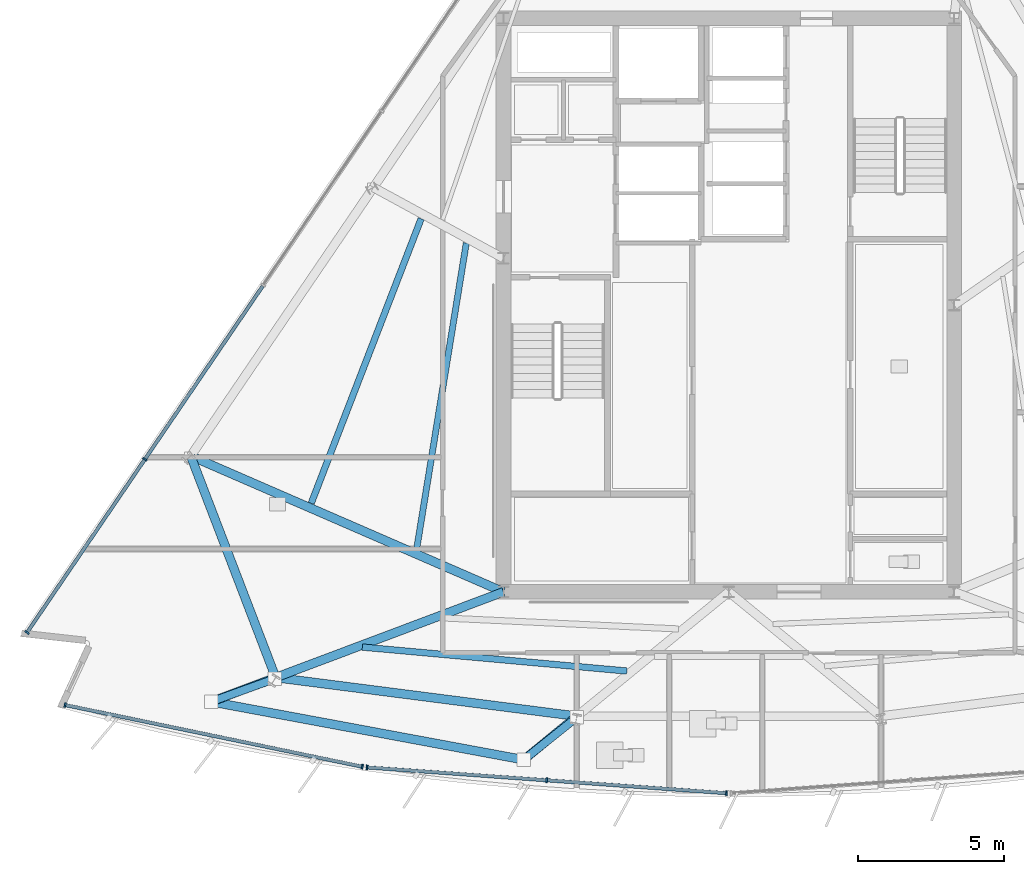
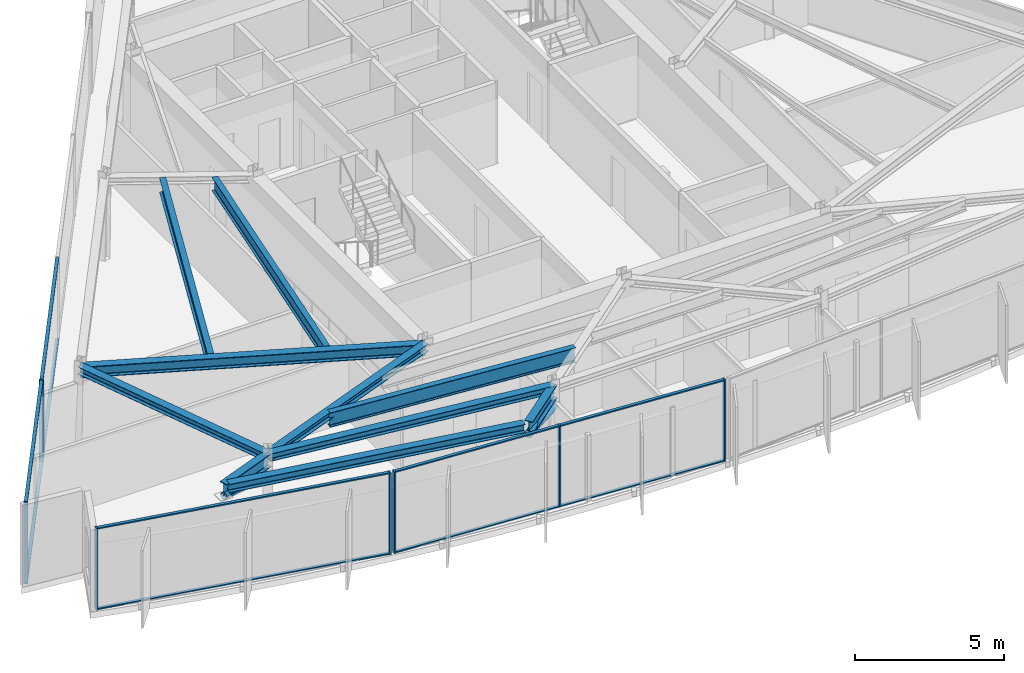
# One storey, part 2 of 12: 19 members, 10 beams, 3 elements without a shape of their own.
"""IFC4 building model written with IfcOpenShell, lengths in metres."""

from ifc_helpers import new_model, si_unit, direction, frame, origin, origin_2d, place, context, subcontext, project, spatial, rectangle, hollow_circle, i_section, extrude, material, material_profile, profile_set, type_object, element, aggregate, save


model = new_model("IFC4")

# Units and contexts
model_context = context("Model", 3, precision=1e-05, world=origin(), true_north=direction((0.0, 1.0)))
body_context = subcontext(model_context, "Body", "Model", "MODEL_VIEW")
ifc_project = project(units=[si_unit("LENGTHUNIT", "METRE"), si_unit("AREAUNIT", "SQUARE_METRE"), si_unit("VOLUMEUNIT", "CUBIC_METRE"), si_unit("PLANEANGLEUNIT", "RADIAN"), si_unit("MASSUNIT", "GRAM", prefix="KILO")], contexts=[model_context])

# Site, building, storey
site_placement = place(None, origin())
site = spatial("IfcSite", under=ifc_project, at=site_placement, CompositionType="ELEMENT")
building_placement = place(site_placement, origin())
building = spatial("IfcBuilding", under=site, at=building_placement, Name="Savorim Split Tower", CompositionType="ELEMENT")
storey_placement = place(building_placement, frame((0.0, 0.0, 268.800048828125)))
storey = spatial("IfcBuildingStorey", under=building, at=storey_placement, Name="L71", CompositionType="ELEMENT", Elevation=268.800048828125)

# Beams
ifc_material_1 = material(Name="Steel S355", Category="steel")
ifc_material_profile_1 = material_profile(ifc_material_1, i_section(OverallWidth=0.2099609375, OverallDepth=0.550048828125, WebThickness=0.010986328125, FlangeThickness=0.01708984375, FilletRadius=0.02392578125, at=origin_2d()), Name="IPE 550")
ifc_profile_set_1 = profile_set([ifc_material_profile_1], Name="Steel S355")
beam_type_1 = type_object("IfcBeamType", Name="BM-JST-IPE550", PredefinedType="JOIST", material=ifc_profile_set_1)
beam_1_placement = place(storey_placement, frame((-8.9697265625, 2.519775390625, 3.074951171875), z_axis=(-0.160097850351, -0.987101148978, 0.0), x_axis=(0.987101148978, -0.160097850351, 0.0)))
element("IfcBeam", 1, at=beam_1_placement, inside=storey, type_object=beam_type_1, Name="L71 Secondary Floor Joist JS-11", PredefinedType="JOIST", context=body_context, shape_type="SweptSolid", body=[
    extrude(i_section(OverallWidth=0.2099609375, OverallDepth=0.550048828125, WebThickness=0.010986328125, FlangeThickness=0.01708984375, FilletRadius=0.02392578125, at=origin_2d()), origin(), (0.0, 0.0, 1.0), 10.598388671875),
])
ifc_material_profile_2 = material_profile(ifc_material_1, i_section(OverallWidth=0.219970703125, OverallDepth=0.60009765625, WebThickness=0.011962890625, FlangeThickness=0.01904296875, FilletRadius=0.02392578125, at=origin_2d()), Name="IPE 600")
ifc_profile_set_2 = profile_set([ifc_material_profile_2], Name="Steel S355")
beam_type_2 = type_object("IfcBeamType", Name="BM-JST-IPE600", PredefinedType="JOIST", material=ifc_profile_set_2)
beam_2_placement = place(storey_placement, frame((-12.52197265625, -11.28759765625, 3.050048828125), z_axis=(0.995943093704, -0.089985299369, 0.0), x_axis=(0.089985299369, 0.995943093704, 0.0)))
element("IfcBeam", 2, at=beam_2_placement, inside=storey, type_object=beam_type_2, Name="L71 Secondary Floor Joist JS-01", PredefinedType="JOIST", context=body_context, shape_type="SweptSolid", body=[
    extrude(i_section(OverallWidth=0.219970703125, OverallDepth=0.60009765625, WebThickness=0.011962890625, FlangeThickness=0.01904296875, FilletRadius=0.02392578125, at=origin_2d()), origin(), (0.0, 0.0, 1.0), 9.078125),
])
beam_3_placement = place(storey_placement, frame((-10.5126953125, 3.351318359375, 3.050048828125), z_axis=(-0.360290889321, -0.932840005077, 0.0), x_axis=(0.932840005077, -0.360290889321, 0.0)))
element("IfcBeam", 3, at=beam_3_placement, inside=storey, type_object=beam_type_2, Name="L71 Secondary Floor Joist JS-10", PredefinedType="JOIST", context=body_context, shape_type="SweptSolid", body=[
    extrude(i_section(OverallWidth=0.219970703125, OverallDepth=0.60009765625, WebThickness=0.011962890625, FlangeThickness=0.01904296875, FilletRadius=0.02392578125, at=origin_2d()), origin(), (0.0, 0.0, 1.0), 10.423095703125),
])
ifc_material_profile_3 = material_profile(ifc_material_1, i_section(OverallWidth=0.300048828125, OverallDepth=0.300048828125, WebThickness=0.010986328125, FlangeThickness=0.01904296875, FilletRadius=0.027099609375, at=origin_2d()), Name="HEB 300")
ifc_profile_set_3 = profile_set([ifc_material_profile_3], Name="Steel S355")
beam_type_3 = type_object("IfcBeamType", Name="BM-PRI-HEB300", PredefinedType="BEAM", material=ifc_profile_set_3)
beam_4_placement = place(storey_placement, frame((-15.4833984375, -12.326904296875, 3.199951171875), z_axis=(0.9360042164, 0.351988788006, 0.0), x_axis=(-0.351988788006, 0.9360042164, 0.0)))
element("IfcBeam", 4, at=beam_4_placement, inside=storey, type_object=beam_type_3, Name="L71 Primary Floor Girder RG-01", PredefinedType="BEAM", context=body_context, shape_type="SweptSolid", body=[
    extrude(i_section(OverallWidth=0.300048828125, OverallDepth=0.300048828125, WebThickness=0.010986328125, FlangeThickness=0.01904296875, FilletRadius=0.027099609375, at=origin_2d()), origin(), (0.0, 0.0, 1.0), 8.315673828125),
])
ifc_material_profile_4 = material_profile(ifc_material_1, i_section(OverallWidth=0.300048828125, OverallDepth=0.449951171875, WebThickness=0.013916015625, FlangeThickness=0.02587890625, FilletRadius=0.027099609375, at=origin_2d()), Name="HEB 450")
ifc_profile_set_4 = profile_set([ifc_material_profile_4], Name="Steel S355")
beam_type_4 = type_object("IfcBeamType", Name="BM-PRI-HEB450", PredefinedType="BEAM", material=ifc_profile_set_4)
beam_5_placement = place(storey_placement, frame((-18.386474609375, -4.756591796875, 3.125), z_axis=(0.91716430345, -0.398509272762, 0.0), x_axis=(0.398509272762, 0.91716430345, 0.0)))
element("IfcBeam", 5, at=beam_5_placement, inside=storey, type_object=beam_type_4, Name="L71 Primary Floor Girder RG-10", PredefinedType="BEAM", context=body_context, shape_type="SweptSolid", body=[
    extrude(i_section(OverallWidth=0.300048828125, OverallDepth=0.449951171875, WebThickness=0.013916015625, FlangeThickness=0.02587890625, FilletRadius=0.027099609375, at=origin_2d()), origin(), (0.0, 0.0, 1.0), 11.651611328125),
])
ifc_material_profile_5 = material_profile(ifc_material_1, i_section(OverallWidth=0.300048828125, OverallDepth=0.550048828125, WebThickness=0.014892578125, FlangeThickness=0.029052734375, FilletRadius=0.027099609375, at=origin_2d()), Name="HEB 550")
ifc_profile_set_5 = profile_set([ifc_material_profile_5], Name="Steel S355")
beam_type_5 = type_object("IfcBeamType", Name="BM-PRI-HEB550", PredefinedType="BEAM", material=ifc_profile_set_5)
for number, where, z_axis, x_axis, name in (
    (6, (-15.4833984375, -12.326904296875, 3.074951171875), (-0.936047092762, -0.351874750631, 0.0), (0.351874750631, -0.936047092762, 0.0), "L71 Cantilevered Lounge Rib 1"),
    (7, (-5.189208984375, -13.6484375, 3.074951171875), (-0.773744340195, -0.633497984225, 0.0), (0.633497984225, -0.773744340195, 0.0), "L71 Cantilevered Lounge Rib 2"),
):
    element("IfcBeam", number, at=place(storey_placement, frame(where, z_axis=z_axis, x_axis=x_axis)), inside=storey, type_object=beam_type_5, Name=name, PredefinedType="BEAM", context=body_context, shape_type="SweptSolid", body=[
        extrude(i_section(OverallWidth=0.300048828125, OverallDepth=0.550048828125, WebThickness=0.014892578125, FlangeThickness=0.029052734375, FilletRadius=0.027099609375, at=origin_2d()), origin(), (0.0, 0.0, 1.0), 2.35009765625),
    ])
ifc_material_profile_6 = material_profile(ifc_material_1, i_section(OverallWidth=0.300048828125, OverallDepth=0.31005859375, WebThickness=0.009033203125, FlangeThickness=0.015380859375, FilletRadius=0.027099609375, at=origin_2d()), Name="HEA 320")
ifc_profile_set_6 = profile_set([ifc_material_profile_6], Name="Steel S355")
beam_type_6 = type_object("IfcBeamType", Name="BM-SPN-HEA320", PredefinedType="SPANDREL", material=ifc_profile_set_6)
beam_6_placement = place(storey_placement, frame((-15.4833984375, -12.326904296875, 3.195068359375), z_axis=(0.991860196584, -0.127331655262, 0.0), x_axis=(0.127331655262, 0.991860196584, 0.0)))
element("IfcBeam", 8, at=beam_6_placement, inside=storey, type_object=beam_type_6, Name="L71 Perimeter Spandrel Beam 1", PredefinedType="SPANDREL", context=body_context, shape_type="SweptSolid", body=[
    extrude(i_section(OverallWidth=0.300048828125, OverallDepth=0.31005859375, WebThickness=0.009033203125, FlangeThickness=0.015380859375, FilletRadius=0.027099609375, at=origin_2d()), origin(), (0.0, 0.0, 1.0), 10.378662109375),
])
beam_7_placement = place(storey_placement, frame((-18.386474609375, -4.756591796875, 3.195068359375), z_axis=(0.35805677583, -0.933699815402, 0.0), x_axis=(0.933699815402, 0.35805677583, 0.0)))
element("IfcBeam", 9, at=beam_7_placement, inside=storey, type_object=beam_type_6, Name="L71 Perimeter Spandrel Beam 10", PredefinedType="SPANDREL", context=body_context, shape_type="SweptSolid", body=[
    extrude(i_section(OverallWidth=0.300048828125, OverallDepth=0.31005859375, WebThickness=0.009033203125, FlangeThickness=0.015380859375, FilletRadius=0.027099609375, at=origin_2d()), origin(), (0.0, 0.0, 1.0), 8.10791015625),
])
ifc_material_profile_7 = material_profile(ifc_material_1, i_section(OverallWidth=0.300048828125, OverallDepth=0.35009765625, WebThickness=0.010009765625, FlangeThickness=0.017578125, FilletRadius=0.027099609375, at=origin_2d()), Name="HEA 360")
ifc_profile_set_7 = profile_set([ifc_material_profile_7], Name="Steel S355")
beam_type_7 = type_object("IfcBeamType", Name="BM-SPN-HEA360", PredefinedType="SPANDREL", material=ifc_profile_set_7)
beam_8_placement = place(storey_placement, frame((-17.525634765625, -13.18310546875, 3.175048828125), z_axis=(0.983177683033, -0.182651700199, 0.0), x_axis=(0.182651700199, 0.983177683033, 0.0)))
element("IfcBeam", 10, at=beam_8_placement, inside=storey, type_object=beam_type_7, Name="L71 Cantilevered Lounge Front Edge Beam", PredefinedType="SPANDREL", context=body_context, shape_type="SweptSolid", body=[
    extrude(i_section(OverallWidth=0.300048828125, OverallDepth=0.35009765625, WebThickness=0.010009765625, FlangeThickness=0.017578125, FilletRadius=0.027099609375, at=origin_2d()), origin(), (0.0, 0.0, 1.0), 10.5380859375),
])

# Curtain wall, members
ifc_material_2 = material(Name="Dark Ceramic-Fritted Insulated Glass", Category="glass")
curtain_wall_type = type_object("IfcCurtainWallType", Name="CW-TWR-FRIT-B", PredefinedType="NOTDEFINED", material=ifc_material_2)
curtain_wall_1_placement = place(storey_placement, origin())
curtain_wall_1 = element("IfcCurtainWall", 11, at=curtain_wall_1_placement, inside=storey, type_object=curtain_wall_type, Name="L71 Curtain Wall CW-L71-SF1", PredefinedType="NOTDEFINED")
ifc_material_3 = material(Name="Charcoal Anodised Aluminium", Category="aluminium")
ifc_material_profile_8 = material_profile(ifc_material_3, rectangle(XDim=0.159912109375, YDim=0.06005859375, at=origin_2d()), Name="ALU-M 160x60")
ifc_profile_set_8 = profile_set([ifc_material_profile_8], Name="Charcoal Anodised Aluminium")
member_type_1 = type_object("IfcMemberType", Name="CWM-160x60", PredefinedType="MULLION", material=ifc_profile_set_8)
member_1_placement = place(storey_placement, frame((-22.677978515625, -13.26611328125, 0.0), z_axis=(0.0, 0.0, 1.0), x_axis=(0.20320761208, 0.979135673129, 0.0)))
member_1 = element("IfcMember", 12, at=member_1_placement, type_object=member_type_1, Name="CW-03 mullion 1", PredefinedType="MULLION", context=body_context, shape_type="SweptSolid", body=[
    extrude(rectangle(XDim=0.159912109375, YDim=0.06005859375, at=origin_2d()), origin(), (0.0, 0.0, 1.0), 3.349853515625),
])
member_2_placement = place(storey_placement, frame((-12.524169921875, -15.373291015625, 0.0), z_axis=(0.0, 0.0, 1.0), x_axis=(0.20320761208, 0.979135673129, 0.0)))
member_2 = element("IfcMember", 13, at=member_2_placement, type_object=member_type_1, Name="CW-03 mullion 2", PredefinedType="MULLION", context=body_context, shape_type="SweptSolid", body=[
    extrude(rectangle(XDim=0.159912109375, YDim=0.06005859375, at=origin_2d()), origin(), (0.0, 0.0, 1.0), 3.349853515625),
])

curtain_wall_2_placement = place(storey_placement, origin())
curtain_wall_2 = element("IfcCurtainWall", 14, at=curtain_wall_2_placement, inside=storey, type_object=curtain_wall_type, Name="L71 Curtain Wall CW-L71-SF2", PredefinedType="NOTDEFINED")
member_3_placement = place(storey_placement, frame((-12.362060546875, -15.39599609375, 0.0), z_axis=(0.0, 0.0, 1.0), x_axis=(0.071562386711, 0.997436125678, 0.0)))
member_3 = element("IfcMember", 15, at=member_3_placement, type_object=member_type_1, Name="CW-03 mullion 1", PredefinedType="MULLION", context=body_context, shape_type="SweptSolid", body=[
    extrude(rectangle(XDim=0.159912109375, YDim=0.06005859375, at=origin_2d()), origin(), (0.0, 0.0, 1.0), 3.349853515625),
])
member_4_placement = place(storey_placement, frame((-6.2216796875, -15.83642578125, 0.0), z_axis=(0.0, 0.0, 1.0), x_axis=(0.071562386711, 0.997436125678, 0.0)))
member_4 = element("IfcMember", 16, at=member_4_placement, type_object=member_type_1, Name="CW-03 mullion 2", PredefinedType="MULLION", context=body_context, shape_type="SweptSolid", body=[
    extrude(rectangle(XDim=0.159912109375, YDim=0.06005859375, at=origin_2d()), origin(), (0.0, 0.0, 1.0), 3.349853515625),
])
member_5_placement = place(storey_placement, frame((-0.081298828125, -16.277099609375, 0.0), z_axis=(0.0, 0.0, 1.0), x_axis=(0.071562386711, 0.997436125678, 0.0)))
member_5 = element("IfcMember", 17, at=member_5_placement, type_object=member_type_1, Name="CW-03 mullion 3", PredefinedType="MULLION", context=body_context, shape_type="SweptSolid", body=[
    extrude(rectangle(XDim=0.159912109375, YDim=0.06005859375, at=origin_2d()), origin(), (0.0, 0.0, 1.0), 3.349853515625),
])

curtain_wall_3_placement = place(storey_placement, origin())
curtain_wall_3 = element("IfcCurtainWall", 18, at=curtain_wall_3_placement, inside=storey, type_object=curtain_wall_type, Name="L71 Curtain Wall CW-L71-WEST", PredefinedType="NOTDEFINED")
member_6_placement = place(storey_placement, frame((-19.951904296875, -4.8671875, 0.0), z_axis=(0.0, 0.0, 1.0), x_axis=(0.826817472755, -0.562470325215, 0.0)))
member_6 = element("IfcMember", 19, at=member_6_placement, type_object=member_type_1, Name="CW-03 mullion 4", PredefinedType="MULLION", context=body_context, shape_type="SweptSolid", body=[
    extrude(rectangle(XDim=0.159912109375, YDim=0.06005859375, at=origin_2d()), origin(), (0.0, 0.0, 1.0), 3.349853515625),
])
member_7_placement = place(storey_placement, frame((-23.97998046875, -10.78857421875, 0.0), z_axis=(0.0, 0.0, 1.0), x_axis=(0.826817472755, -0.562470325215, 0.0)))
member_7 = element("IfcMember", 20, at=member_7_placement, type_object=member_type_1, Name="CW-03 mullion 5", PredefinedType="MULLION", context=body_context, shape_type="SweptSolid", body=[
    extrude(rectangle(XDim=0.159912109375, YDim=0.06005859375, at=origin_2d()), origin(), (0.0, 0.0, 1.0), 3.349853515625),
])

# Member
ifc_material_profile_9 = material_profile(ifc_material_3, rectangle(XDim=0.1201171875, YDim=0.050048828125, at=origin_2d()), Name="ALU-T 120x50")
ifc_profile_set_9 = profile_set([ifc_material_profile_9], Name="Charcoal Anodised Aluminium")
member_type_2 = type_object("IfcMemberType", Name="CWT-120x50", PredefinedType="USERDEFINED", material=ifc_profile_set_9)
member_8_placement = place(storey_placement, frame((-22.648681640625, -13.272216796875, 0.02490234375), z_axis=(0.97913890437, -0.203192042041, 0.0), x_axis=(0.203192042041, 0.97913890437, 0.0)))
member_8 = element("IfcMember", 21, at=member_8_placement, type_object=member_type_2, Name="CW-03 transom 1.1", ObjectType="TRANSOM", PredefinedType="USERDEFINED", context=body_context, shape_type="SweptSolid", body=[
    extrude(rectangle(XDim=0.1201171875, YDim=0.050048828125, at=origin_2d()), origin(), (0.0, 0.0, 1.0), 10.310302734375),
])

member_9_placement = place(storey_placement, frame((-22.648681640625, -13.272216796875, 3.324951171875), z_axis=(0.97913890437, -0.203192042041, 0.0), x_axis=(0.203192042041, 0.97913890437, 0.0)))
member_9 = element("IfcMember", 22, at=member_9_placement, type_object=member_type_2, Name="CW-03 transom 1.2", ObjectType="TRANSOM", PredefinedType="USERDEFINED", context=body_context, shape_type="SweptSolid", body=[
    extrude(rectangle(XDim=0.1201171875, YDim=0.050048828125, at=origin_2d()), origin(), (0.0, 0.0, 1.0), 10.310302734375),
])

aggregate(curtain_wall_1, [member_1, member_2, member_8, member_9])

member_10_placement = place(storey_placement, frame((-12.332275390625, -15.398193359375, 0.02490234375), z_axis=(0.997436085583, -0.071562945555, 0.0), x_axis=(0.071562945555, 0.997436085583, 0.0)))
member_10 = element("IfcMember", 23, at=member_10_placement, type_object=member_type_2, Name="CW-03 transom 1.1", ObjectType="TRANSOM", PredefinedType="USERDEFINED", context=body_context, shape_type="SweptSolid", body=[
    extrude(rectangle(XDim=0.1201171875, YDim=0.050048828125, at=origin_2d()), origin(), (0.0, 0.0, 1.0), 6.096435546875),
])

member_11_placement = place(storey_placement, frame((-12.332275390625, -15.398193359375, 3.324951171875), z_axis=(0.997436085583, -0.071562945555, 0.0), x_axis=(0.071562945555, 0.997436085583, 0.0)))
member_11 = element("IfcMember", 24, at=member_11_placement, type_object=member_type_2, Name="CW-03 transom 1.2", ObjectType="TRANSOM", PredefinedType="USERDEFINED", context=body_context, shape_type="SweptSolid", body=[
    extrude(rectangle(XDim=0.1201171875, YDim=0.050048828125, at=origin_2d()), origin(), (0.0, 0.0, 1.0), 6.096435546875),
])

member_12_placement = place(storey_placement, frame((-6.191650390625, -15.838623046875, 0.02490234375), z_axis=(0.997435880483, -0.071565804161, 0.0), x_axis=(0.071565804161, 0.997435880483, 0.0)))
member_12 = element("IfcMember", 25, at=member_12_placement, type_object=member_type_2, Name="CW-03 transom 2.1", ObjectType="TRANSOM", PredefinedType="USERDEFINED", context=body_context, shape_type="SweptSolid", body=[
    extrude(rectangle(XDim=0.1201171875, YDim=0.050048828125, at=origin_2d()), origin(), (0.0, 0.0, 1.0), 6.09619140625),
])

member_13_placement = place(storey_placement, frame((-6.191650390625, -15.838623046875, 3.324951171875), z_axis=(0.997435880483, -0.071565804161, 0.0), x_axis=(0.071565804161, 0.997435880483, 0.0)))
member_13 = element("IfcMember", 26, at=member_13_placement, type_object=member_type_2, Name="CW-03 transom 2.2", ObjectType="TRANSOM", PredefinedType="USERDEFINED", context=body_context, shape_type="SweptSolid", body=[
    extrude(rectangle(XDim=0.1201171875, YDim=0.050048828125, at=origin_2d()), origin(), (0.0, 0.0, 1.0), 6.09619140625),
])

aggregate(curtain_wall_2, [member_3, member_4, member_5, member_10, member_11, member_12, member_13])

member_14_placement = place(storey_placement, frame((-15.923828125, 1.053955078125, 0.02490234375), z_axis=(-0.562465450543, -0.826820788893, 0.0), x_axis=(0.826820788893, -0.562465450543, 0.0)))
member_14 = element("IfcMember", 27, at=member_14_placement, type_object=member_type_2, Name="CW-03 transom 3.1", ObjectType="TRANSOM", PredefinedType="USERDEFINED", context=body_context, shape_type="SweptSolid", body=[
    extrude(rectangle(XDim=0.1201171875, YDim=0.050048828125, at=origin_2d()), origin(), (0.0, 0.0, 1.0), 7.131591796875),
])

member_15_placement = place(storey_placement, frame((-15.923828125, 1.053955078125, 3.324951171875), z_axis=(-0.562465450543, -0.826820788893, 0.0), x_axis=(0.826820788893, -0.562465450543, 0.0)))
member_15 = element("IfcMember", 28, at=member_15_placement, type_object=member_type_2, Name="CW-03 transom 3.2", ObjectType="TRANSOM", PredefinedType="USERDEFINED", context=body_context, shape_type="SweptSolid", body=[
    extrude(rectangle(XDim=0.1201171875, YDim=0.050048828125, at=origin_2d()), origin(), (0.0, 0.0, 1.0), 7.131591796875),
])

member_16_placement = place(storey_placement, frame((-19.96875, -4.89208984375, 0.02490234375), z_axis=(-0.562474570512, -0.826814584733, 0.0), x_axis=(0.826814584733, -0.562474570512, 0.0)))
member_16 = element("IfcMember", 29, at=member_16_placement, type_object=member_type_2, Name="CW-03 transom 4.1", ObjectType="TRANSOM", PredefinedType="USERDEFINED", context=body_context, shape_type="SweptSolid", body=[
    extrude(rectangle(XDim=0.1201171875, YDim=0.050048828125, at=origin_2d()), origin(), (0.0, 0.0, 1.0), 7.1015625),
])

member_17_placement = place(storey_placement, frame((-19.96875, -4.89208984375, 3.324951171875), z_axis=(-0.562474570512, -0.826814584733, 0.0), x_axis=(0.826814584733, -0.562474570512, 0.0)))
member_17 = element("IfcMember", 30, at=member_17_placement, type_object=member_type_2, Name="CW-03 transom 4.2", ObjectType="TRANSOM", PredefinedType="USERDEFINED", context=body_context, shape_type="SweptSolid", body=[
    extrude(rectangle(XDim=0.1201171875, YDim=0.050048828125, at=origin_2d()), origin(), (0.0, 0.0, 1.0), 7.1015625),
])

aggregate(curtain_wall_3, [member_6, member_7, member_14, member_15, member_16, member_17])

# Members
ifc_material_profile_10 = material_profile(ifc_material_1, hollow_circle(Radius=0.136474609375, WallThickness=0.01611328125, at=origin_2d()), Name="CHS 273x16")
ifc_profile_set_10 = profile_set([ifc_material_profile_10], Name="Steel S355")
member_type_3 = type_object("IfcMemberType", Name="MBR-CRN-CHS273", PredefinedType="BRACE", material=ifc_profile_set_10)
member_18_placement = place(storey_placement, frame((-15.507080078125, -12.365234375, 2.449951171875), z_axis=(-0.928373409593, -0.336435107482, 0.157905765617), x_axis=(0.340709586629, -0.940168589977, 0.0)))
element("IfcMember", 31, at=member_18_placement, inside=storey, type_object=member_type_3, Name="L71 Cantilevered Bay Support Strut 1", PredefinedType="BRACE", context=body_context, shape_type="SweptSolid", body=[
    extrude(hollow_circle(Radius=0.136474609375, WallThickness=0.01611328125, at=origin_2d()), origin(), (0.0, 0.0, 1.0), 2.343994140625),
])
member_19_placement = place(storey_placement, frame((-5.197265625, -13.68896484375, 2.449951171875), z_axis=(-0.771103773286, -0.616883018629, 0.157652504424), x_axis=(0.624695047554, -0.780868809443, 0.0)))
element("IfcMember", 32, at=member_19_placement, inside=storey, type_object=member_type_3, Name="L71 Cantilevered Bay Support Strut 2", PredefinedType="BRACE", context=body_context, shape_type="SweptSolid", body=[
    extrude(hollow_circle(Radius=0.136474609375, WallThickness=0.01611328125, at=origin_2d()), origin(), (0.0, 0.0, 1.0), 2.34765625),
])

save(model, "model.ifc")
